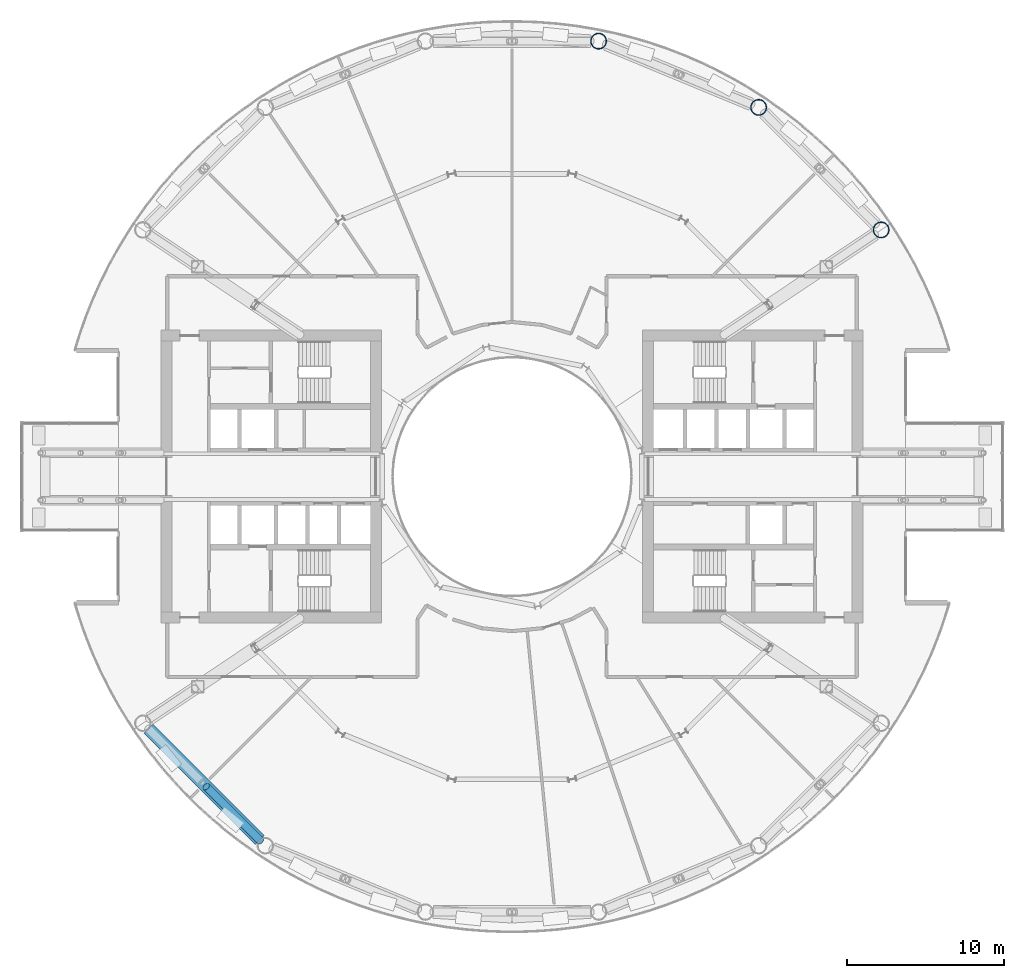
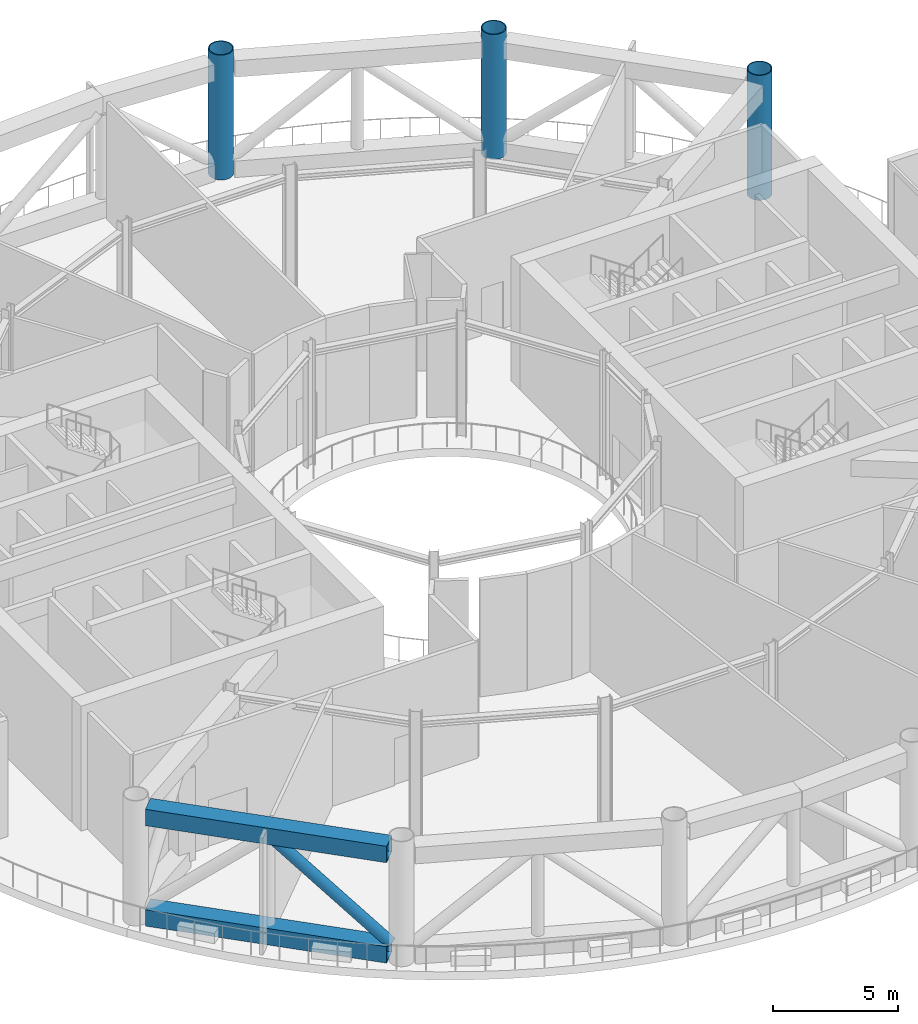
# One storey, part 4 of 23: 3 columns, 2 beams, 1 member.
"""IFC4 building model written with IfcOpenShell, lengths in metres."""

from ifc_helpers import new_model, si_unit, direction, frame, origin, origin_2d, place, context, subcontext, project, spatial, hollow_rectangle, hollow_circle, extrude, material, material_profile, profile_set, type_object, element, save


model = new_model("IFC4")

# Units and contexts
model_context = context("Model", 3, precision=1e-05, world=origin(), true_north=direction((0.0, 1.0)))
body_context = subcontext(model_context, "Body", "Model", "MODEL_VIEW")
ifc_project = project(units=[si_unit("LENGTHUNIT", "METRE"), si_unit("AREAUNIT", "SQUARE_METRE"), si_unit("VOLUMEUNIT", "CUBIC_METRE"), si_unit("PLANEANGLEUNIT", "RADIAN"), si_unit("MASSUNIT", "GRAM", prefix="KILO")], contexts=[model_context])

# Site, building, storey
site_placement = place(None, origin())
site = spatial("IfcSite", under=ifc_project, at=site_placement, CompositionType="ELEMENT")
building_placement = place(site_placement, origin())
building = spatial("IfcBuilding", under=site, at=building_placement, Name="Maasbend Ring Residences", CompositionType="ELEMENT")
storey_placement = place(building_placement, frame((0.0, 0.0, 97.14990234375)))
storey = spatial("IfcBuildingStorey", under=building, at=storey_placement, Name="L28", CompositionType="ELEMENT", Elevation=97.14990234375)

# Columns
ifc_material_1 = material(Name="Composite concrete-filled steel tube S460NH / C80/95", Category="concrete")
ifc_material_profile_1 = material_profile(ifc_material_1, hollow_circle(Radius=0.508056640625, WallThickness=0.0400390625, at=origin_2d()), Name="Composite tube column CHS 1016x40")
ifc_profile_set_1 = profile_set([ifc_material_profile_1], Name="Composite concrete-filled steel tube S460NH / C80/95")
column_type = type_object("IfcColumnType", Name="Composite tube column CHS 1016x40", PredefinedType="COLUMN", material=ifc_profile_set_1)
for number, where, z_axis, x_axis, name in (
    (1, (23.447509765625, 15.6669921875, 0.0), (0.0, 0.0, 1.0), (1.0, 0.0, 0.0), "Outer column R2"),
    (2, (15.6669921875, 23.447509765625, 0.0), (0.0, 0.0, 1.0), (1.0, 0.0, 0.0), "Outer column R3"),
    (3, (5.50146484375, 27.658203125, 0.0), (0.0, 0.0, 1.0), (1.0, 0.0, 0.0), "Outer column R4"),
):
    element("IfcColumn", number, at=place(storey_placement, frame(where, z_axis=z_axis, x_axis=x_axis)), inside=storey, type_object=column_type, Name=name, PredefinedType="COLUMN", context=body_context, shape_type="SweptSolid", body=[
        extrude(hollow_circle(Radius=0.508056640625, WallThickness=0.0400390625, at=origin_2d()), origin(), (0.0, 0.0, 1.0), 6.10009765625),
    ])

# Beams
ifc_material_2 = material(Name="Steel S460M", Category="steel")
ifc_material_profile_2 = material_profile(ifc_material_2, hollow_rectangle(XDim=0.800048828125, YDim=0.800048828125, WallThickness=0.0400390625, at=origin_2d()), Name="Belt truss chord BX 800x800x40")
ifc_profile_set_2 = profile_set([ifc_material_profile_2], Name="Steel S460M")
beam_type = type_object("IfcBeamType", Name="Belt truss chord BX 800x800x40", PredefinedType="BEAM", material=ifc_profile_set_2)
for number, where, z_axis, x_axis, name in (
    (4, (-23.088134765625, -16.0263671875, 0.400146484375), (0.707106781187, -0.707106781187, 0.0), (0.707106781187, 0.707106781187, 0.0), "Belt truss"),
    (5, (-23.088134765625, -16.0263671875, 5.300048828125), (0.707106781187, -0.707106781187, 0.0), (0.707106781187, 0.707106781187, 0.0), "Belt truss"),
):
    element("IfcBeam", number, at=place(storey_placement, frame(where, z_axis=z_axis, x_axis=x_axis)), inside=storey, type_object=beam_type, Name=name, PredefinedType="BEAM", context=body_context, shape_type="SweptSolid", body=[
        extrude(hollow_rectangle(XDim=0.800048828125, YDim=0.800048828125, WallThickness=0.0400390625, at=origin_2d()), origin(), (0.0, 0.0, 1.0), 9.98681640625),
    ])

# Member
ifc_material_3 = material(Name="Steel S460NH", Category="steel")
ifc_material_profile_3 = material_profile(ifc_material_3, hollow_circle(Radius=0.25390625, WallThickness=0.02490234375, at=origin_2d()), Name="Belt truss diagonal CHS 508x25")
ifc_profile_set_3 = profile_set([ifc_material_profile_3], Name="Steel S460NH")
member_type = type_object("IfcMemberType", Name="Belt truss diagonal CHS 508x25", PredefinedType="BRACE", material=ifc_profile_set_3)
member_placement = place(storey_placement, frame((-19.41845703125, -19.696044921875, 4.9501953125), z_axis=(0.53476676586, -0.53476676586, -0.654254546995), x_axis=(0.707106781187, 0.707106781187, 0.0)))
element("IfcMember", 6, at=member_placement, inside=storey, type_object=member_type, Name="Belt truss diagonal", PredefinedType="BRACE", context=body_context, shape_type="SweptSolid", body=[
    extrude(hollow_circle(Radius=0.25390625, WallThickness=0.02490234375, at=origin_2d()), origin(), (0.0, 0.0, 1.0), 6.419921875),
])

save(model, "model.ifc")
